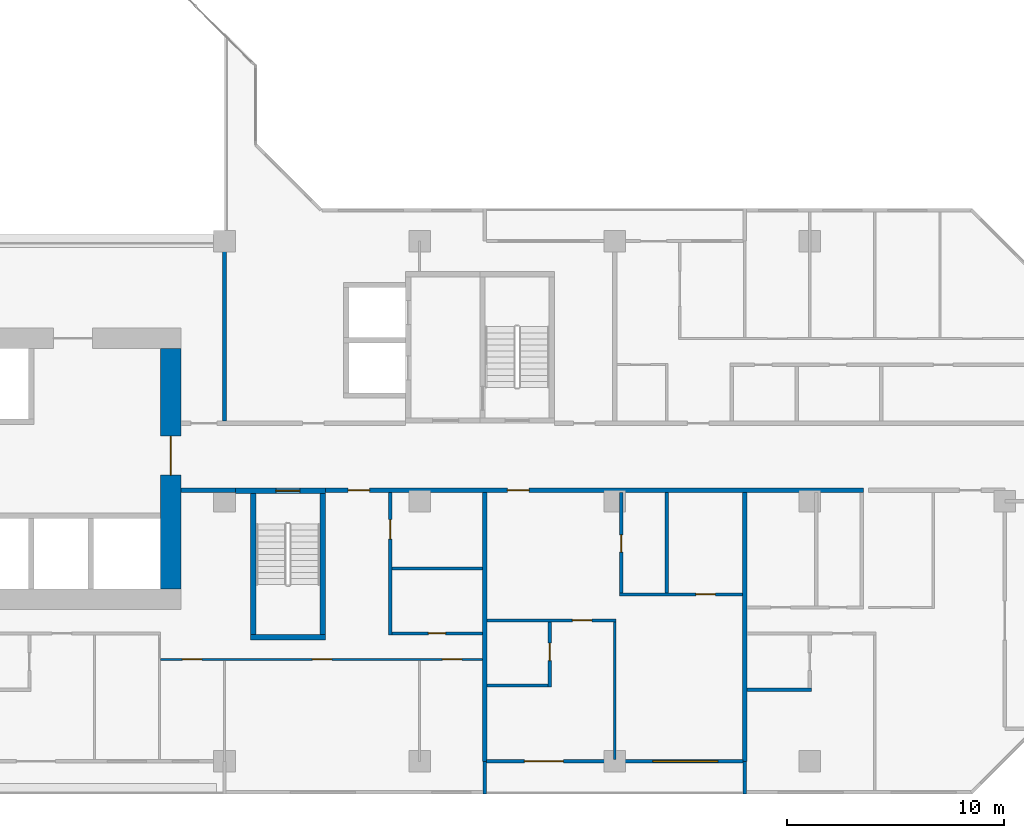
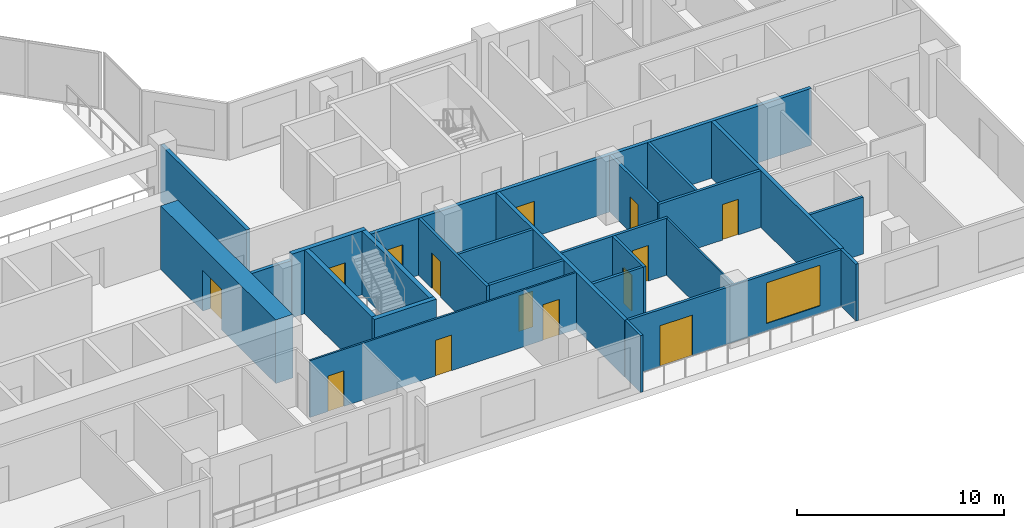
# One storey, part 6 of 15: 25 walls, 14 doors, 1 window, 15 openings.
"""IFC4 building model written with IfcOpenShell, lengths in metres."""

from ifc_helpers import new_model, si_unit, direction, frame, frame_2d, origin, place, context, subcontext, project, spatial, rectangle, extrude, material, layer, layer_set, type_object, element, fill, save


model = new_model("IFC4")

# Units and contexts
model_context = context("Model", 3, precision=1e-05, world=origin(), true_north=direction((0.0, 1.0)))
body_context = subcontext(model_context, "Body", "Model", "MODEL_VIEW")
ifc_project = project(units=[si_unit("LENGTHUNIT", "METRE"), si_unit("AREAUNIT", "SQUARE_METRE"), si_unit("VOLUMEUNIT", "CUBIC_METRE"), si_unit("PLANEANGLEUNIT", "RADIAN"), si_unit("MASSUNIT", "GRAM", prefix="KILO")], contexts=[model_context])

# Site, building, storey
site_placement = place(None, origin())
site = spatial("IfcSite", under=ifc_project, at=site_placement, CompositionType="ELEMENT")
building_placement = place(site_placement, origin())
building = spatial("IfcBuilding", under=site, at=building_placement, Name="Chenar Terraces", CompositionType="ELEMENT")
storey_placement = place(building_placement, frame((0.0, 0.0, 95.64990234375)))
storey = spatial("IfcBuildingStorey", under=building, at=storey_placement, Name="L21", CompositionType="ELEMENT", Elevation=95.64990234375)

# Wall
ifc_material_1 = material(Name="Concrete C70/85", Category="concrete")
ifc_layer_1 = layer(ifc_material_1, 0.25)
ifc_layer_set_1 = layer_set([ifc_layer_1], Name="Concrete C70/85")
wall_type_1 = type_object("IfcWallType", Name="Core wall 250 Concrete C70/85", PredefinedType="SHEAR", material=ifc_layer_set_1)
wall_1_placement = place(storey_placement, frame((37.199951171875, 5.72509765625, 0.0), z_axis=(0.0, 0.0, 1.0), x_axis=(1.0, 0.0, 0.0)))
element("IfcWall", 1, at=wall_1_placement, inside=storey, type_object=wall_type_1, Name="Core wall ST2_S L21", PredefinedType="SHEAR", context=body_context, shape_type="SweptSolid", body=[
    extrude(rectangle(XDim=3.449951171875, YDim=0.25, at=frame_2d((1.72509765625, 0.0))), origin(), (0.0, 0.0, 1.0), 3.75),
])

# Wall, opening, door
wall_2_placement = place(storey_placement, frame((36.5, 12.47509765625, 0.0), z_axis=(0.0, 0.0, 1.0), x_axis=(1.0, 0.0, 0.0)))
wall_2 = element("IfcWall", 2, at=wall_2_placement, inside=storey, type_object=wall_type_1, Name="Core wall ST2_N L21", PredefinedType="SHEAR", context=body_context, shape_type="SweptSolid", body=[
    extrude(rectangle(XDim=4.14990234375, YDim=0.25, at=frame_2d((2.074951171875, 0.0))), origin(), (0.0, 0.0, 1.0), 3.75),
])
opening_1_placement = place(wall_2_placement, frame((1.875, 0.0, 0.0)))
opening_1 = element("IfcOpeningElement", 3, at=opening_1_placement, cuts=wall_2, Name="Opening DL21-C7", PredefinedType="OPENING", context=body_context, shape_type="SweptSolid", body=[
    extrude(rectangle(XDim=1.10009765625, YDim=2.199951171875, at=frame_2d((0.550048828125, 1.10009765625))), frame((0.0, 0.135009765625, 0.0), z_axis=(0.0, -1.0, 0.0), x_axis=(1.0, 0.0, 0.0)), (0.0, 0.0, 1.0), 0.27001953125),
])
ifc_material_2 = material(Name="Steel-framed fire-resisting door leaf", Category="steel")
door_type_1 = type_object("IfcDoorType", Name="Stair fire door FD60 1100 x 2200", OperationType="SINGLE_SWING_LEFT", PredefinedType="DOOR", material=ifc_material_2)
door_1_placement = place(opening_1_placement, frame((1.10009765625, 0.0, 0.0), z_axis=(0.0, 0.0, 1.0), x_axis=(-1.0, 0.0, 0.0)))
door_1 = element("IfcDoor", 4, at=door_1_placement, inside=storey, type_object=door_type_1, Name="Stair door DL21-C7", OperationType="SINGLE_SWING_RIGHT", OverallHeight=2.199951171875, OverallWidth=1.10009765625, PredefinedType="DOOR", context=body_context, shape_type="SweptSolid", body=[
    extrude(rectangle(XDim=1.10009765625, YDim=2.199951171875, at=frame_2d((0.550048828125, 1.10009765625))), frame((0.0, 0.02490234375, 0.0), z_axis=(0.0, -1.0, 0.0), x_axis=(1.0, 0.0, 0.0)), (0.0, 0.0, 1.0), 0.050048828125),
])
fill(opening_1, door_1)

# Walls
for number, where, z_axis, x_axis, name in (
    (5, (37.324951171875, 5.85009765625, 0.0), (0.0, 0.0, 1.0), (0.0, 1.0, 0.0), "Core wall ST2_W L21"),
    (6, (40.52490234375, 5.85009765625, 0.0), (0.0, 0.0, 1.0), (0.0, 1.0, 0.0), "Core wall ST2_E L21"),
):
    element("IfcWall", number, at=place(storey_placement, frame(where, z_axis=z_axis, x_axis=x_axis)), inside=storey, type_object=wall_type_1, Name=name, PredefinedType="SHEAR", context=body_context, shape_type="SweptSolid", body=[
        extrude(rectangle(XDim=6.5, YDim=0.25, at=frame_2d((3.25, 0.0))), origin(), (0.0, 0.0, 1.0), 3.75),
    ])

# Wall, opening, door
ifc_material_3 = material(Name="Concrete C70/85", Category="concrete")
ifc_layer_2 = layer(ifc_material_3, 0.949951171875)
ifc_layer_set_2 = layer_set([ifc_layer_2], Name="Concrete C70/85")
wall_type_2 = type_object("IfcWallType", Name="Core wall 950 Concrete C70/85", PredefinedType="SHEAR", material=ifc_layer_set_2)
wall_3_placement = place(storey_placement, frame((33.52490234375, 7.949951171875, 0.0), z_axis=(0.0, 0.0, 1.0), x_axis=(0.0, 1.0, 0.0)))
wall_3 = element("IfcWall", 7, at=wall_3_placement, inside=storey, type_object=wall_type_2, Name="Core wall E L21", PredefinedType="SHEAR", context=body_context, shape_type="SweptSolid", body=[
    extrude(rectangle(XDim=11.10009765625, YDim=0.949951171875, at=frame_2d((5.550048828125, 0.0))), origin(), (0.0, 0.0, 1.0), 3.75),
])
opening_2_placement = place(wall_3_placement, frame((5.25, 0.0, 0.0)))
opening_2 = element("IfcOpeningElement", 8, at=opening_2_placement, cuts=wall_3, Name="Opening DL21-C1", PredefinedType="OPENING", context=body_context, shape_type="SweptSolid", body=[
    extrude(rectangle(XDim=1.800048828125, YDim=2.39990234375, at=frame_2d((0.89990234375, 1.199951171875))), frame((0.0, 0.48486328125, 0.0), z_axis=(0.0, -1.0, 0.0), x_axis=(1.0, 0.0, 0.0)), (0.0, 0.0, 1.0), 0.969970703125),
])
ifc_material_4 = material(Name="Steel-framed fire-resisting door leaf", Category="steel")
door_type_2 = type_object("IfcDoorType", Name="Core entrance double fire door FD60 1800 x 2400", OperationType="DOUBLE_DOOR_SINGLE_SWING", PredefinedType="DOOR", material=ifc_material_4)
door_2_placement = place(opening_2_placement, origin())
door_2 = element("IfcDoor", 9, at=door_2_placement, inside=storey, type_object=door_type_2, Name="Core door DL21-C1", OperationType="DOUBLE_DOOR_SINGLE_SWING", OverallHeight=2.39990234375, OverallWidth=1.800048828125, PredefinedType="DOOR", context=body_context, shape_type="SweptSolid", body=[
    extrude(rectangle(XDim=1.800048828125, YDim=2.39990234375, at=frame_2d((0.89990234375, 1.199951171875))), frame((0.0, 0.02490234375, 0.0), z_axis=(0.0, -1.0, 0.0), x_axis=(1.0, 0.0, 0.0)), (0.0, 0.0, 1.0), 0.050048828125),
])
fill(opening_2, door_2)

# Walls
ifc_material_5 = material(Name="Gypsum board on steel studs with fire boards", Category="steel")
ifc_layer_3 = layer(ifc_material_5, 0.199951171875)
ifc_layer_set_3 = layer_set([ifc_layer_3], Name="Gypsum board on steel studs with fire boards")
wall_type_3 = type_object("IfcWallType", Name="Corridor wall 200", PredefinedType="PARTITIONING", material=ifc_layer_set_3)
wall_4_placement = place(storey_placement, frame((34.0, 12.5, 0.0), z_axis=(0.0, 0.0, 1.0), x_axis=(1.0, 0.0, 0.0)))
element("IfcWall", 10, at=wall_4_placement, inside=storey, type_object=wall_type_3, Name="Partition L21-067", PredefinedType="PARTITIONING", context=body_context, shape_type="SweptSolid", body=[
    extrude(rectangle(XDim=2.5009765625, YDim=0.199951171875, at=frame_2d((1.25048828125, 0.0))), origin(), (0.0, 0.0, 1.0), 3.35009765625),
])
wall_5_placement = place(storey_placement, frame((36.0, 15.699951171875, 0.0), z_axis=(0.0, 0.0, 1.0), x_axis=(0.0, 1.0, 0.0)))
element("IfcWall", 11, at=wall_5_placement, inside=storey, type_object=wall_type_3, Name="Partition L21-070", PredefinedType="PARTITIONING", context=body_context, shape_type="SweptSolid", body=[
    extrude(rectangle(XDim=8.300048828125, YDim=0.199951171875, at=frame_2d((4.14990234375, 0.0))), origin(), (0.0, 0.0, 1.0), 3.35009765625),
])

# Wall, openings, doors
wall_6_placement = place(storey_placement, frame((40.64990234375, 12.5, 0.0), z_axis=(0.0, 0.0, 1.0), x_axis=(1.0, 0.0, 0.0)))
wall_6 = element("IfcWall", 12, at=wall_6_placement, inside=storey, type_object=wall_type_3, Name="Partition L21-071", PredefinedType="PARTITIONING", context=body_context, shape_type="SweptSolid", body=[
    extrude(rectangle(XDim=24.8251953125, YDim=0.199951171875, at=frame_2d((12.41259765625, 0.0))), origin(), (0.0, 0.0, 1.0), 3.35009765625),
])
opening_3_placement = place(wall_6_placement, frame((8.39990234375, 0.0, 0.0)))
opening_3 = element("IfcOpeningElement", 13, at=opening_3_placement, cuts=wall_6, Name="Opening DL21-18", PredefinedType="OPENING", context=body_context, shape_type="SweptSolid", body=[
    extrude(rectangle(XDim=1.0, YDim=2.10009765625, at=frame_2d((0.5, 1.050048828125))), frame((0.0, 0.10986328125, 0.0), z_axis=(0.0, -1.0, 0.0), x_axis=(1.0, 0.0, 0.0)), (0.0, 0.0, 1.0), 0.219970703125),
])
opening_4_placement = place(wall_6_placement, frame((1.050048828125, 0.0, 0.0)))
opening_4 = element("IfcOpeningElement", 14, at=opening_4_placement, cuts=wall_6, Name="Opening DL21-63", PredefinedType="OPENING", context=body_context, shape_type="SweptSolid", body=[
    extrude(rectangle(XDim=1.0, YDim=2.10009765625, at=frame_2d((0.5, 1.050048828125))), frame((0.0, 0.10986328125, 0.0), z_axis=(0.0, -1.0, 0.0), x_axis=(1.0, 0.0, 0.0)), (0.0, 0.0, 1.0), 0.219970703125),
])
ifc_material_6 = material(Name="Steel-framed fire-resisting door leaf", Category="steel")
door_type_3 = type_object("IfcDoorType", Name="Fire door FD30S 1000 x 2100", OperationType="SINGLE_SWING_LEFT", PredefinedType="DOOR", material=ifc_material_6)
door_3_placement = place(opening_3_placement, frame((1.0, 0.0, 0.0), z_axis=(0.0, 0.0, 1.0), x_axis=(-1.0, 0.0, 0.0)))
door_3 = element("IfcDoor", 15, at=door_3_placement, inside=storey, type_object=door_type_3, Name="Door DL21-18", OperationType="SINGLE_SWING_RIGHT", OverallHeight=2.10009765625, OverallWidth=1.0, PredefinedType="DOOR", context=body_context, shape_type="SweptSolid", body=[
    extrude(rectangle(XDim=1.0, YDim=2.10009765625, at=frame_2d((0.5, 1.050048828125))), frame((0.0, 0.02490234375, 0.0), z_axis=(0.0, -1.0, 0.0), x_axis=(1.0, 0.0, 0.0)), (0.0, 0.0, 1.0), 0.050048828125),
])
fill(opening_3, door_3)
door_4_placement = place(opening_4_placement, origin())
door_4 = element("IfcDoor", 16, at=door_4_placement, inside=storey, type_object=door_type_3, Name="Door DL21-63", OperationType="SINGLE_SWING_RIGHT", OverallHeight=2.10009765625, OverallWidth=1.0, PredefinedType="DOOR", context=body_context, shape_type="SweptSolid", body=[
    extrude(rectangle(XDim=1.0, YDim=2.10009765625, at=frame_2d((0.5, 1.050048828125))), frame((0.0, 0.02490234375, 0.0), z_axis=(0.0, -1.0, 0.0), x_axis=(1.0, 0.0, 0.0)), (0.0, 0.0, 1.0), 0.050048828125),
])
fill(opening_4, door_4)

# Wall, openings, window, door
ifc_material_7 = material(Name="Aluminium framed glazing", Category="aluminium")
ifc_layer_4 = layer(ifc_material_7, 0.14990234375)
ifc_layer_set_4 = layer_set([ifc_layer_4], Name="Aluminium framed glazing")
wall_type_4 = type_object("IfcWallType", Name="Glazed loggia back wall 150", PredefinedType="SOLIDWALL", material=ifc_layer_set_4)
wall_7_placement = place(storey_placement, frame((48.074951171875, 0.0, 0.0), z_axis=(0.0, 0.0, 1.0), x_axis=(1.0, 0.0, 0.0)))
wall_7 = element("IfcWall", 17, at=wall_7_placement, inside=storey, type_object=wall_type_4, Name="Glazed loggia back wall", PredefinedType="SOLIDWALL", context=body_context, shape_type="SweptSolid", body=[
    extrude(rectangle(XDim=11.85009765625, YDim=0.14990234375, at=frame_2d((5.925048828125, 0.0))), origin(), (0.0, 0.0, 1.0), 3.35009765625),
])
opening_5_placement = place(wall_7_placement, frame((1.762451171875, 0.0, 0.0)))
opening_5 = element("IfcOpeningElement", 18, at=opening_5_placement, cuts=wall_7, Name="Opening DL21-G7", PredefinedType="OPENING", context=body_context, shape_type="SweptSolid", body=[
    extrude(rectangle(XDim=1.800048828125, YDim=2.39990234375, at=frame_2d((0.89990234375, 1.199951171875))), frame((0.0, 0.0849609375, 0.0), z_axis=(0.0, -1.0, 0.0), x_axis=(1.0, 0.0, 0.0)), (0.0, 0.0, 1.0), 0.169921875),
])
opening_6_placement = place(wall_7_placement, frame((7.6875, 0.0, 0.449951171875)))
opening_6 = element("IfcOpeningElement", 19, at=opening_6_placement, cuts=wall_7, Name="Opening W300x240", PredefinedType="OPENING", context=body_context, shape_type="SweptSolid", body=[
    extrude(rectangle(XDim=3.0, YDim=2.39990234375, at=frame_2d((1.5, 1.199951171875))), frame((0.0, 0.0849609375, 0.0), z_axis=(0.0, -1.0, 0.0), x_axis=(1.0, 0.0, 0.0)), (0.0, 0.0, 1.0), 0.169921875),
])
ifc_material_8 = material(Name="Low emissivity double glazing, aluminium frame", Category="aluminium")
window_type = type_object("IfcWindowType", Name="Fixed light 3000 x 2400", PartitioningType="SINGLE_PANEL", PredefinedType="WINDOW", material=ifc_material_8)
window_placement = place(opening_6_placement, origin())
window = element("IfcWindow", 20, at=window_placement, inside=storey, type_object=window_type, Name="Window", OverallHeight=2.39990234375, OverallWidth=3.0, PartitioningType="SINGLE_PANEL", PredefinedType="WINDOW", context=body_context, shape_type="SweptSolid", body=[
    extrude(rectangle(XDim=3.0, YDim=2.39990234375, at=frame_2d((1.5, 1.199951171875))), frame((0.0, 0.030029296875, 0.0), z_axis=(0.0, -1.0, 0.0), x_axis=(1.0, 0.0, 0.0)), (0.0, 0.0, 1.0), 0.06005859375),
])
fill(opening_6, window)
ifc_material_9 = material(Name="Low emissivity double glazing, aluminium frame", Category="aluminium")
door_type_4 = type_object("IfcDoorType", Name="Loggia glazed double door 1800 x 2400", OperationType="DOUBLE_DOOR_SINGLE_SWING", PredefinedType="DOOR", material=ifc_material_9)
door_5_placement = place(opening_5_placement, frame((1.800048828125, 0.0, 0.0), z_axis=(0.0, 0.0, 1.0), x_axis=(-1.0, 0.0, 0.0)))
door_5 = element("IfcDoor", 21, at=door_5_placement, inside=storey, type_object=door_type_4, Name="Loggia glazed door", OperationType="DOUBLE_DOOR_SINGLE_SWING", OverallHeight=2.39990234375, OverallWidth=1.800048828125, PredefinedType="DOOR", context=body_context, shape_type="SweptSolid", body=[
    extrude(rectangle(XDim=1.800048828125, YDim=2.39990234375, at=frame_2d((0.89990234375, 1.199951171875))), frame((0.0, 0.02490234375, 0.0), z_axis=(0.0, -1.0, 0.0), x_axis=(1.0, 0.0, 0.0)), (0.0, 0.0, 1.0), 0.050048828125),
])
fill(opening_5, door_5)

# Wall, openings, doors
ifc_material_10 = material(Name="Gypsum board on steel studs", Category="steel")
ifc_layer_5 = layer(ifc_material_10, 0.10009765625)
ifc_layer_set_5 = layer_set([ifc_layer_5], Name="Gypsum board on steel studs")
wall_type_5 = type_object("IfcWallType", Name="Gypsum partition 100", PredefinedType="PARTITIONING", material=ifc_layer_set_5)
wall_8_placement = place(storey_placement, frame((33.050048828125, 4.699951171875, 0.0), z_axis=(0.0, 0.0, 1.0), x_axis=(1.0, 0.0, 0.0)))
wall_8 = element("IfcWall", 22, at=wall_8_placement, inside=storey, type_object=wall_type_5, Name="Partition L21-066", PredefinedType="PARTITIONING", context=body_context, shape_type="SweptSolid", body=[
    extrude(rectangle(XDim=14.849853515625, YDim=0.10009765625, at=frame_2d((7.4248046875, 0.0))), origin(), (0.0, 0.0, 1.0), 3.35009765625),
])
opening_7_placement = place(wall_8_placement, frame((1.0, 0.0, 0.0)))
opening_7 = element("IfcOpeningElement", 23, at=opening_7_placement, cuts=wall_8, Name="Opening DL21-57", PredefinedType="OPENING", context=body_context, shape_type="SweptSolid", body=[
    extrude(rectangle(XDim=0.89990234375, YDim=2.10009765625, at=frame_2d((0.449951171875, 1.050048828125))), frame((0.0, 0.06005859375, 0.0), z_axis=(0.0, -1.0, 0.0), x_axis=(1.0, 0.0, 0.0)), (0.0, 0.0, 1.0), 0.1201171875),
])
opening_8_placement = place(wall_8_placement, frame((13.0, 0.0, 0.0)))
opening_8 = element("IfcOpeningElement", 24, at=opening_8_placement, cuts=wall_8, Name="Opening DL21-58", PredefinedType="OPENING", context=body_context, shape_type="SweptSolid", body=[
    extrude(rectangle(XDim=0.89990234375, YDim=2.10009765625, at=frame_2d((0.449951171875, 1.050048828125))), frame((0.0, 0.06005859375, 0.0), z_axis=(0.0, -1.0, 0.0), x_axis=(1.0, 0.0, 0.0)), (0.0, 0.0, 1.0), 0.1201171875),
])
opening_9_placement = place(wall_8_placement, frame((7.0, 0.0, 0.0)))
opening_9 = element("IfcOpeningElement", 25, at=opening_9_placement, cuts=wall_8, Name="Opening DL21-66", PredefinedType="OPENING", context=body_context, shape_type="SweptSolid", body=[
    extrude(rectangle(XDim=0.89990234375, YDim=2.10009765625, at=frame_2d((0.449951171875, 1.050048828125))), frame((0.0, 0.06005859375, 0.0), z_axis=(0.0, -1.0, 0.0), x_axis=(1.0, 0.0, 0.0)), (0.0, 0.0, 1.0), 0.1201171875),
])
ifc_material_11 = material(Name="Veneered timber door leaf", Category="wood")
door_type_5 = type_object("IfcDoorType", Name="Door 900 x 2100", OperationType="SINGLE_SWING_LEFT", PredefinedType="DOOR", material=ifc_material_11)
door_6_placement = place(opening_7_placement, frame((0.89990234375, 0.0, 0.0), z_axis=(0.0, 0.0, 1.0), x_axis=(-1.0, 0.0, 0.0)))
door_6 = element("IfcDoor", 26, at=door_6_placement, inside=storey, type_object=door_type_5, Name="Door DL21-57", OperationType="SINGLE_SWING_LEFT", OverallHeight=2.10009765625, OverallWidth=0.89990234375, PredefinedType="DOOR", context=body_context, shape_type="SweptSolid", body=[
    extrude(rectangle(XDim=0.89990234375, YDim=2.10009765625, at=frame_2d((0.449951171875, 1.050048828125))), frame((0.0, 0.02490234375, 0.0), z_axis=(0.0, -1.0, 0.0), x_axis=(1.0, 0.0, 0.0)), (0.0, 0.0, 1.0), 0.050048828125),
])
fill(opening_7, door_6)
door_7_placement = place(opening_8_placement, frame((0.89990234375, 0.0, 0.0), z_axis=(0.0, 0.0, 1.0), x_axis=(-1.0, 0.0, 0.0)))
door_7 = element("IfcDoor", 27, at=door_7_placement, inside=storey, type_object=door_type_5, Name="Door DL21-58", OperationType="SINGLE_SWING_LEFT", OverallHeight=2.10009765625, OverallWidth=0.89990234375, PredefinedType="DOOR", context=body_context, shape_type="SweptSolid", body=[
    extrude(rectangle(XDim=0.89990234375, YDim=2.10009765625, at=frame_2d((0.449951171875, 1.050048828125))), frame((0.0, 0.02490234375, 0.0), z_axis=(0.0, -1.0, 0.0), x_axis=(1.0, 0.0, 0.0)), (0.0, 0.0, 1.0), 0.050048828125),
])
fill(opening_8, door_7)
door_8_placement = place(opening_9_placement, frame((0.89990234375, 0.0, 0.0), z_axis=(0.0, 0.0, 1.0), x_axis=(-1.0, 0.0, 0.0)))
door_8 = element("IfcDoor", 28, at=door_8_placement, inside=storey, type_object=door_type_5, Name="Door DL21-66", OperationType="SINGLE_SWING_LEFT", OverallHeight=2.10009765625, OverallWidth=0.89990234375, PredefinedType="DOOR", context=body_context, shape_type="SweptSolid", body=[
    extrude(rectangle(XDim=0.89990234375, YDim=2.10009765625, at=frame_2d((0.449951171875, 1.050048828125))), frame((0.0, 0.02490234375, 0.0), z_axis=(0.0, -1.0, 0.0), x_axis=(1.0, 0.0, 0.0)), (0.0, 0.0, 1.0), 0.050048828125),
])
fill(opening_9, door_8)

# Walls
wall_9_placement = place(storey_placement, frame((54.0, 0.073974609375, 0.0), z_axis=(0.0, 0.0, 1.0), x_axis=(0.0, 1.0, 0.0)))
element("IfcWall", 29, at=wall_9_placement, inside=storey, type_object=wall_type_5, Name="Partition L21-082", PredefinedType="PARTITIONING", context=body_context, shape_type="SweptSolid", body=[
    extrude(rectangle(XDim=6.35107421875, YDim=0.10009765625, at=frame_2d((3.175537109375, 0.0))), origin(), (0.0, 0.0, 1.0), 3.35009765625),
])
ifc_material_12 = material(Name="Terracotta cladding on insulated backing", Category="masonry")
ifc_layer_6 = layer(ifc_material_12, 0.14990234375)
ifc_layer_set_6 = layer_set([ifc_layer_6], Name="Terracotta cladding on insulated backing")
wall_type_6 = type_object("IfcWallType", Name="Loggia return wall 150", PredefinedType="SOLIDWALL", material=ifc_layer_set_6)
for number, where, z_axis, x_axis, name in (
    (30, (48.0, -1.5, 0.0), (0.0, 0.0, 1.0), (0.0, 1.0, 0.0), "Loggia return wall"),
    (31, (60.0, -1.5, 0.0), (0.0, 0.0, 1.0), (0.0, 1.0, 0.0), "Loggia return wall"),
):
    element("IfcWall", number, at=place(storey_placement, frame(where, z_axis=z_axis, x_axis=x_axis)), inside=storey, type_object=wall_type_6, Name=name, PredefinedType="SOLIDWALL", context=body_context, shape_type="SweptSolid", body=[
        extrude(rectangle(XDim=1.5, YDim=0.14990234375, at=frame_2d((0.75, 0.0))), origin(), (0.0, 0.0, 1.0), 3.35009765625),
    ])
ifc_material_13 = material(Name="Twin gypsum board on steel studs with mineral wool", Category="steel")
ifc_layer_7 = layer(ifc_material_13, 0.199951171875)
ifc_layer_set_7 = layer_set([ifc_layer_7], Name="Twin gypsum board on steel studs with mineral wool")
wall_type_7 = type_object("IfcWallType", Name="Unit demising wall 200", PredefinedType="PARTITIONING", material=ifc_layer_set_7)
for number, where, z_axis, x_axis, name in (
    (32, (48.0, 0.0, 0.0), (0.0, 0.0, 1.0), (0.0, 1.0, 0.0), "Partition L21-077"),
    (33, (60.0, 0.0, 0.0), (0.0, 0.0, 1.0), (0.0, 1.0, 0.0), "Partition L21-093"),
):
    element("IfcWall", number, at=place(storey_placement, frame(where, z_axis=z_axis, x_axis=x_axis)), inside=storey, type_object=wall_type_7, Name=name, PredefinedType="PARTITIONING", context=body_context, shape_type="SweptSolid", body=[
        extrude(rectangle(XDim=12.39990234375, YDim=0.199951171875, at=frame_2d((6.199951171875, 0.0))), origin(), (0.0, 0.0, 1.0), 3.35009765625),
    ])

# Wall, opening, door
ifc_material_14 = material(Name="Moisture-resistant gypsum board on steel studs", Category="steel")
ifc_layer_8 = layer(ifc_material_14, 0.14990234375)
ifc_layer_set_8 = layer_set([ifc_layer_8], Name="Moisture-resistant gypsum board on steel studs")
wall_type_8 = type_object("IfcWallType", Name="Wet-room partition 150", PredefinedType="PARTITIONING", material=ifc_layer_set_8)
wall_10_placement = place(storey_placement, frame((43.64990234375, 5.824951171875, 0.0), z_axis=(0.0, 0.0, 1.0), x_axis=(0.0, 1.0, 0.0)))
wall_10 = element("IfcWall", 34, at=wall_10_placement, inside=storey, type_object=wall_type_8, Name="Partition L21-072", PredefinedType="PARTITIONING", context=body_context, shape_type="SweptSolid", body=[
    extrude(rectangle(XDim=6.574951171875, YDim=0.14990234375, at=frame_2d((3.28759765625, 0.0))), origin(), (0.0, 0.0, 1.0), 3.35009765625),
])
opening_10_placement = place(wall_10_placement, frame((4.425048828125, 0.0, 0.0)))
opening_10 = element("IfcOpeningElement", 35, at=opening_10_placement, cuts=wall_10, Name="Opening DL21-64", PredefinedType="OPENING", context=body_context, shape_type="SweptSolid", body=[
    extrude(rectangle(XDim=0.89990234375, YDim=2.10009765625, at=frame_2d((0.449951171875, 1.050048828125))), frame((0.0, 0.0849609375, 0.0), z_axis=(0.0, -1.0, 0.0), x_axis=(1.0, 0.0, 0.0)), (0.0, 0.0, 1.0), 0.169921875),
])
door_9_placement = place(opening_10_placement, frame((0.89990234375, 0.0, 0.0), z_axis=(0.0, 0.0, 1.0), x_axis=(-1.0, 0.0, 0.0)))
door_9 = element("IfcDoor", 36, at=door_9_placement, inside=storey, type_object=door_type_5, Name="Door DL21-64", OperationType="SINGLE_SWING_LEFT", OverallHeight=2.10009765625, OverallWidth=0.89990234375, PredefinedType="DOOR", context=body_context, shape_type="SweptSolid", body=[
    extrude(rectangle(XDim=0.89990234375, YDim=2.10009765625, at=frame_2d((0.449951171875, 1.050048828125))), frame((0.0, 0.02490234375, 0.0), z_axis=(0.0, -1.0, 0.0), x_axis=(1.0, 0.0, 0.0)), (0.0, 0.0, 1.0), 0.050048828125),
])
fill(opening_10, door_9)

wall_11_placement = place(storey_placement, frame((43.72509765625, 5.89990234375, 0.0), z_axis=(0.0, 0.0, 1.0), x_axis=(1.0, 0.0, 0.0)))
wall_11 = element("IfcWall", 37, at=wall_11_placement, inside=storey, type_object=wall_type_8, Name="Partition L21-073", PredefinedType="PARTITIONING", context=body_context, shape_type="SweptSolid", body=[
    extrude(rectangle(XDim=4.1748046875, YDim=0.14990234375, at=frame_2d((2.08740234375, 0.0))), origin(), (0.0, 0.0, 1.0), 3.35009765625),
])
opening_11_placement = place(wall_11_placement, frame((1.675048828125, 0.0, 0.0)))
opening_11 = element("IfcOpeningElement", 38, at=opening_11_placement, cuts=wall_11, Name="Opening DL21-54", PredefinedType="OPENING", context=body_context, shape_type="SweptSolid", body=[
    extrude(rectangle(XDim=0.800048828125, YDim=2.10009765625, at=frame_2d((0.39990234375, 1.050048828125))), frame((0.0, 0.0849609375, 0.0), z_axis=(0.0, -1.0, 0.0), x_axis=(1.0, 0.0, 0.0)), (0.0, 0.0, 1.0), 0.169921875),
])
ifc_material_15 = material(Name="Veneered timber door leaf", Category="wood")
door_type_6 = type_object("IfcDoorType", Name="Door 800 x 2100", OperationType="SINGLE_SWING_LEFT", PredefinedType="DOOR", material=ifc_material_15)
door_10_placement = place(opening_11_placement, origin())
door_10 = element("IfcDoor", 39, at=door_10_placement, inside=storey, type_object=door_type_6, Name="Door DL21-54", OperationType="SINGLE_SWING_LEFT", OverallHeight=2.10009765625, OverallWidth=0.800048828125, PredefinedType="DOOR", context=body_context, shape_type="SweptSolid", body=[
    extrude(rectangle(XDim=0.800048828125, YDim=2.10009765625, at=frame_2d((0.39990234375, 1.050048828125))), frame((0.0, 0.02490234375, 0.0), z_axis=(0.0, -1.0, 0.0), x_axis=(1.0, 0.0, 0.0)), (0.0, 0.0, 1.0), 0.050048828125),
])
fill(opening_11, door_10)

# Walls
wall_12_placement = place(storey_placement, frame((43.72509765625, 8.89990234375, 0.0), z_axis=(0.0, 0.0, 1.0), x_axis=(1.0, 0.0, 0.0)))
element("IfcWall", 40, at=wall_12_placement, inside=storey, type_object=wall_type_8, Name="Partition L21-074", PredefinedType="PARTITIONING", context=body_context, shape_type="SweptSolid", body=[
    extrude(rectangle(XDim=4.1748046875, YDim=0.14990234375, at=frame_2d((2.08740234375, 0.0))), origin(), (0.0, 0.0, 1.0), 3.35009765625),
])
wall_13_placement = place(storey_placement, frame((48.10009765625, 3.5, 0.0), z_axis=(0.0, 0.0, 1.0), x_axis=(1.0, 0.0, 0.0)))
element("IfcWall", 41, at=wall_13_placement, inside=storey, type_object=wall_type_8, Name="Partition L21-078", PredefinedType="PARTITIONING", context=body_context, shape_type="SweptSolid", body=[
    extrude(rectangle(XDim=2.824951171875, YDim=0.14990234375, at=frame_2d((1.41259765625, 0.0))), origin(), (0.0, 0.0, 1.0), 3.35009765625),
])

# Wall, opening, door
wall_14_placement = place(storey_placement, frame((48.10009765625, 6.5, 0.0), z_axis=(0.0, 0.0, 1.0), x_axis=(1.0, 0.0, 0.0)))
wall_14 = element("IfcWall", 42, at=wall_14_placement, inside=storey, type_object=wall_type_8, Name="Partition L21-079", PredefinedType="PARTITIONING", context=body_context, shape_type="SweptSolid", body=[
    extrude(rectangle(XDim=5.949951171875, YDim=0.14990234375, at=frame_2d((2.97509765625, 0.0))), origin(), (0.0, 0.0, 1.0), 3.35009765625),
])
opening_12_placement = place(wall_14_placement, frame((3.949951171875, 0.0, 0.0)))
opening_12 = element("IfcOpeningElement", 43, at=opening_12_placement, cuts=wall_14, Name="Opening DL21-15", PredefinedType="OPENING", context=body_context, shape_type="SweptSolid", body=[
    extrude(rectangle(XDim=0.89990234375, YDim=2.10009765625, at=frame_2d((0.449951171875, 1.050048828125))), frame((0.0, 0.0849609375, 0.0), z_axis=(0.0, -1.0, 0.0), x_axis=(1.0, 0.0, 0.0)), (0.0, 0.0, 1.0), 0.169921875),
])
door_11_placement = place(opening_12_placement, frame((0.89990234375, 0.0, 0.0), z_axis=(0.0, 0.0, 1.0), x_axis=(-1.0, 0.0, 0.0)))
door_11 = element("IfcDoor", 44, at=door_11_placement, inside=storey, type_object=door_type_5, Name="Door DL21-15", OperationType="SINGLE_SWING_LEFT", OverallHeight=2.10009765625, OverallWidth=0.89990234375, PredefinedType="DOOR", context=body_context, shape_type="SweptSolid", body=[
    extrude(rectangle(XDim=0.89990234375, YDim=2.10009765625, at=frame_2d((0.449951171875, 1.050048828125))), frame((0.0, 0.02490234375, 0.0), z_axis=(0.0, -1.0, 0.0), x_axis=(1.0, 0.0, 0.0)), (0.0, 0.0, 1.0), 0.050048828125),
])
fill(opening_12, door_11)

wall_15_placement = place(storey_placement, frame((51.0, 3.425048828125, 0.0), z_axis=(0.0, 0.0, 1.0), x_axis=(0.0, 1.0, 0.0)))
wall_15 = element("IfcWall", 45, at=wall_15_placement, inside=storey, type_object=wall_type_8, Name="Partition L21-080", PredefinedType="PARTITIONING", context=body_context, shape_type="SweptSolid", body=[
    extrude(rectangle(XDim=3.0, YDim=0.14990234375, at=frame_2d((1.5, 0.0))), origin(), (0.0, 0.0, 1.0), 3.35009765625),
])
opening_13_placement = place(wall_15_placement, frame((1.22509765625, 0.0, 0.0)))
opening_13 = element("IfcOpeningElement", 46, at=opening_13_placement, cuts=wall_15, Name="Opening DL21-16", PredefinedType="OPENING", context=body_context, shape_type="SweptSolid", body=[
    extrude(rectangle(XDim=0.800048828125, YDim=2.10009765625, at=frame_2d((0.39990234375, 1.050048828125))), frame((0.0, 0.0849609375, 0.0), z_axis=(0.0, -1.0, 0.0), x_axis=(1.0, 0.0, 0.0)), (0.0, 0.0, 1.0), 0.169921875),
])
door_12_placement = place(opening_13_placement, origin())
door_12 = element("IfcDoor", 47, at=door_12_placement, inside=storey, type_object=door_type_6, Name="Door DL21-16", OperationType="SINGLE_SWING_RIGHT", OverallHeight=2.10009765625, OverallWidth=0.800048828125, PredefinedType="DOOR", context=body_context, shape_type="SweptSolid", body=[
    extrude(rectangle(XDim=0.800048828125, YDim=2.10009765625, at=frame_2d((0.39990234375, 1.050048828125))), frame((0.0, 0.02490234375, 0.0), z_axis=(0.0, -1.0, 0.0), x_axis=(1.0, 0.0, 0.0)), (0.0, 0.0, 1.0), 0.050048828125),
])
fill(opening_13, door_12)

wall_16_placement = place(storey_placement, frame((54.22509765625, 7.699951171875, 0.0), z_axis=(0.0, 0.0, 1.0), x_axis=(1.0, 0.0, 0.0)))
wall_16 = element("IfcWall", 48, at=wall_16_placement, inside=storey, type_object=wall_type_8, Name="Partition L21-085", PredefinedType="PARTITIONING", context=body_context, shape_type="SweptSolid", body=[
    extrude(rectangle(XDim=5.6748046875, YDim=0.14990234375, at=frame_2d((2.83740234375, 0.0))), origin(), (0.0, 0.0, 1.0), 3.35009765625),
])
opening_14_placement = place(wall_16_placement, frame((3.52490234375, 0.0, 0.0)))
opening_14 = element("IfcOpeningElement", 49, at=opening_14_placement, cuts=wall_16, Name="Opening DL21-17", PredefinedType="OPENING", context=body_context, shape_type="SweptSolid", body=[
    extrude(rectangle(XDim=0.89990234375, YDim=2.10009765625, at=frame_2d((0.449951171875, 1.050048828125))), frame((0.0, 0.0849609375, 0.0), z_axis=(0.0, -1.0, 0.0), x_axis=(1.0, 0.0, 0.0)), (0.0, 0.0, 1.0), 0.169921875),
])
door_13_placement = place(opening_14_placement, origin())
door_13 = element("IfcDoor", 50, at=door_13_placement, inside=storey, type_object=door_type_5, Name="Door DL21-17", OperationType="SINGLE_SWING_LEFT", OverallHeight=2.10009765625, OverallWidth=0.89990234375, PredefinedType="DOOR", context=body_context, shape_type="SweptSolid", body=[
    extrude(rectangle(XDim=0.89990234375, YDim=2.10009765625, at=frame_2d((0.449951171875, 1.050048828125))), frame((0.0, 0.02490234375, 0.0), z_axis=(0.0, -1.0, 0.0), x_axis=(1.0, 0.0, 0.0)), (0.0, 0.0, 1.0), 0.050048828125),
])
fill(opening_14, door_13)

wall_17_placement = place(storey_placement, frame((54.300048828125, 7.77490234375, 0.0), z_axis=(0.0, 0.0, 1.0), x_axis=(0.0, 1.0, 0.0)))
wall_17 = element("IfcWall", 51, at=wall_17_placement, inside=storey, type_object=wall_type_8, Name="Partition L21-086", PredefinedType="PARTITIONING", context=body_context, shape_type="SweptSolid", body=[
    extrude(rectangle(XDim=4.625, YDim=0.14990234375, at=frame_2d((2.3125, 0.0))), origin(), (0.0, 0.0, 1.0), 3.35009765625),
])
opening_15_placement = place(wall_17_placement, frame((1.875, 0.0, 0.0)))
opening_15 = element("IfcOpeningElement", 52, at=opening_15_placement, cuts=wall_17, Name="Opening DL21-14", PredefinedType="OPENING", context=body_context, shape_type="SweptSolid", body=[
    extrude(rectangle(XDim=0.800048828125, YDim=2.10009765625, at=frame_2d((0.39990234375, 1.050048828125))), frame((0.0, 0.0849609375, 0.0), z_axis=(0.0, -1.0, 0.0), x_axis=(1.0, 0.0, 0.0)), (0.0, 0.0, 1.0), 0.169921875),
])
door_14_placement = place(opening_15_placement, frame((0.800048828125, 0.0, 0.0), z_axis=(0.0, 0.0, 1.0), x_axis=(-1.0, 0.0, 0.0)))
door_14 = element("IfcDoor", 53, at=door_14_placement, inside=storey, type_object=door_type_6, Name="Door DL21-14", OperationType="SINGLE_SWING_LEFT", OverallHeight=2.10009765625, OverallWidth=0.800048828125, PredefinedType="DOOR", context=body_context, shape_type="SweptSolid", body=[
    extrude(rectangle(XDim=0.800048828125, YDim=2.10009765625, at=frame_2d((0.39990234375, 1.050048828125))), frame((0.0, 0.02490234375, 0.0), z_axis=(0.0, -1.0, 0.0), x_axis=(1.0, 0.0, 0.0)), (0.0, 0.0, 1.0), 0.050048828125),
])
fill(opening_15, door_14)

# Walls
wall_18_placement = place(storey_placement, frame((56.39990234375, 7.77490234375, 0.0), z_axis=(0.0, 0.0, 1.0), x_axis=(0.0, 1.0, 0.0)))
element("IfcWall", 54, at=wall_18_placement, inside=storey, type_object=wall_type_8, Name="Partition L21-087", PredefinedType="PARTITIONING", context=body_context, shape_type="SweptSolid", body=[
    extrude(rectangle(XDim=4.625, YDim=0.14990234375, at=frame_2d((2.3125, 0.0))), origin(), (0.0, 0.0, 1.0), 3.35009765625),
])
wall_19_placement = place(storey_placement, frame((60.10009765625, 3.300048828125, 0.0), z_axis=(0.0, 0.0, 1.0), x_axis=(1.0, 0.0, 0.0)))
element("IfcWall", 55, at=wall_19_placement, inside=storey, type_object=wall_type_8, Name="Partition L21-095", PredefinedType="PARTITIONING", context=body_context, shape_type="SweptSolid", body=[
    extrude(rectangle(XDim=2.974853515625, YDim=0.14990234375, at=frame_2d((1.4873046875, 0.0))), origin(), (0.0, 0.0, 1.0), 3.35009765625),
])

save(model, "model.ifc")
